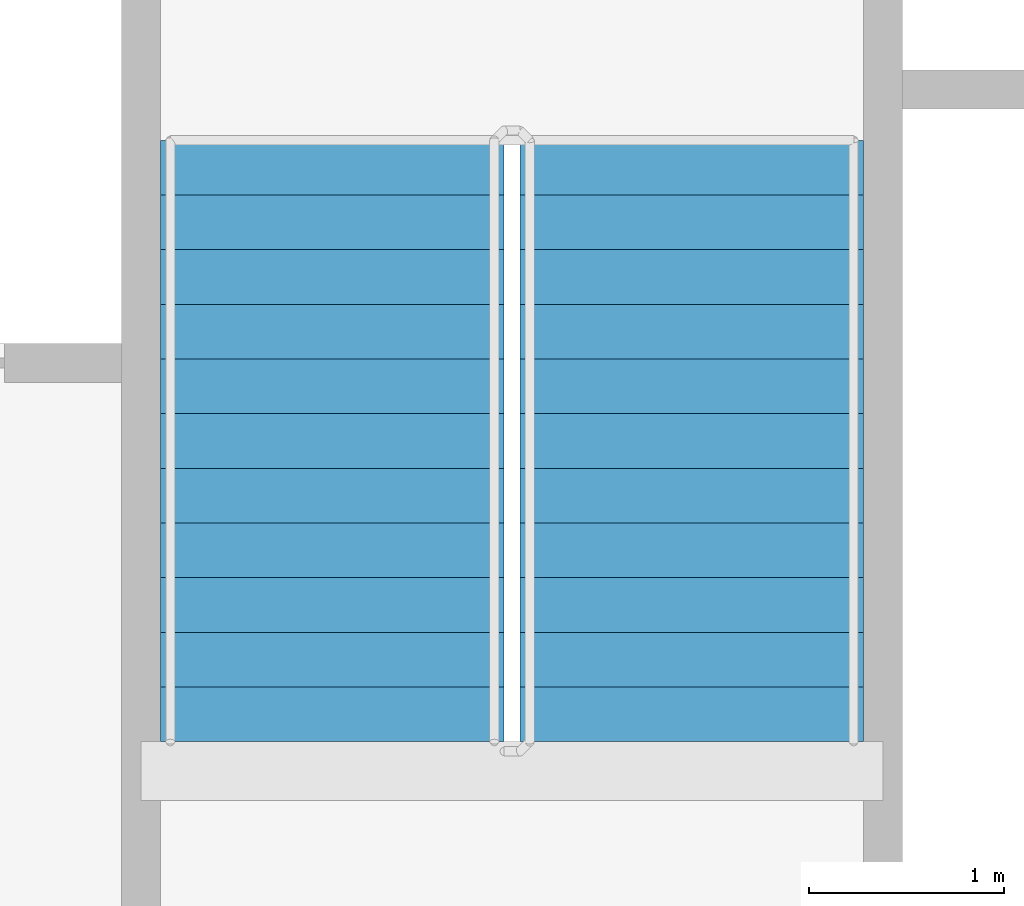
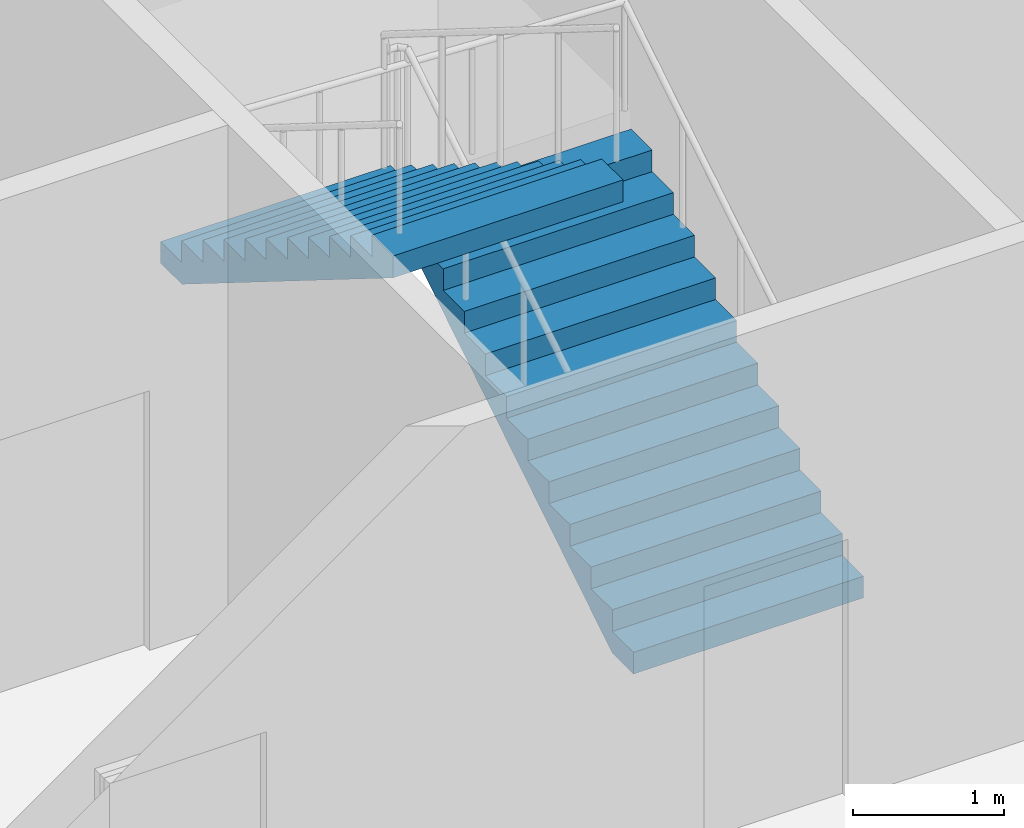
# One storey, part 26 of 31: 2 stair flights, 1 element without a shape of its own.
"""IFC4 building model written with IfcOpenShell, lengths in metres."""

from ifc_helpers import new_model, si_unit, direction, frame, origin, place, context, subcontext, project, spatial, faceted_brep, material, type_object, element, aggregate, save


model = new_model("IFC4")

# Units and contexts
model_context = context("Model", 3, precision=1e-05, world=origin(), true_north=direction((0.0, 1.0)))
body_context = subcontext(model_context, "Body", "Model", "MODEL_VIEW")
ifc_project = project(units=[si_unit("LENGTHUNIT", "METRE"), si_unit("AREAUNIT", "SQUARE_METRE"), si_unit("VOLUMEUNIT", "CUBIC_METRE"), si_unit("PLANEANGLEUNIT", "RADIAN"), si_unit("MASSUNIT", "GRAM", prefix="KILO")], contexts=[model_context])

# Site, building, storey
site_placement = place(None, origin())
site = spatial("IfcSite", under=ifc_project, at=site_placement, CompositionType="ELEMENT")
building_placement = place(site_placement, origin())
building = spatial("IfcBuilding", under=site, at=building_placement, Name="Tarsis Ring Headquarters", CompositionType="ELEMENT")
storey_placement = place(building_placement, frame((0.0, 0.0, 390.199951171875)))
storey = spatial("IfcBuildingStorey", under=building, at=storey_placement, Name="L92", CompositionType="ELEMENT", Elevation=390.199951171875)

# Stair, stair flights
ifc_material_1 = material(Name="Core stair 1760")
stair_type = type_object("IfcStairType", Name="Core stair 1760", PredefinedType="HALF_TURN_STAIR", material=ifc_material_1)
stair_placement = place(storey_placement, origin())
stair = element("IfcStair", 1, at=stair_placement, inside=storey, type_object=stair_type, Name="L92 Exit stair B", PredefinedType="HALF_TURN_STAIR")
ifc_material_2 = material(Name="Concrete C40/50", Category="concrete")
stair_flight_type = type_object("IfcStairFlightType", Name="Core stair flight 1760", PredefinedType="STRAIGHT", material=ifc_material_2)
stair_flight_1_placement = place(storey_placement, frame((5.419921875, 3.659912109375, 0.0), z_axis=(0.0, 0.0, 1.0), x_axis=(0.0, 1.0, 0.0)))
stair_flight_1 = element("IfcStairFlight", 2, at=stair_flight_1_placement, type_object=stair_flight_type, Name="Stair ST2 flight 1", NumberOfRisers=12, NumberOfTreads=11, PredefinedType="STRAIGHT", RiserHeight=0.175, TreadLength=0.28, context=body_context, shape_type="Brep", body=[
    faceted_brep([(0.0, 0.8798828125, 0.0), (0.0, 0.8798828125, 0.175048828125), (0.280029296875, 0.8798828125, 0.175048828125), (0.280029296875, 0.8798828125, 0.35009765625), (0.56005859375, 0.8798828125, 0.35009765625), (0.56005859375, 0.8798828125, 0.52490234375), (0.840087890625, 0.8798828125, 0.52490234375), (0.840087890625, 0.8798828125, 0.699951171875), (1.1201171875, 0.8798828125, 0.699951171875), (1.1201171875, 0.8798828125, 0.875), (1.39990234375, 0.8798828125, 0.875), (1.39990234375, 0.8798828125, 1.050048828125), (1.679931640625, 0.8798828125, 1.050048828125), (1.679931640625, 0.8798828125, 1.22509765625), (1.9599609375, 0.8798828125, 1.22509765625), (1.9599609375, 0.8798828125, 1.39990234375), (2.239990234375, 0.8798828125, 1.39990234375), (2.239990234375, 0.8798828125, 1.574951171875), (2.52001953125, 0.8798828125, 1.574951171875), (2.52001953125, 0.8798828125, 1.75), (2.800048828125, 0.8798828125, 1.75), (2.800048828125, 0.8798828125, 1.925048828125), (3.080078125, 0.8798828125, 1.925048828125), (3.080078125, 0.8798828125, 1.748291015625), (0.28271484375, 0.8798828125, 0.0), (0.28271484375, -0.8798828125, 0.0), (3.080078125, -0.8798828125, 1.748291015625), (3.080078125, -0.8798828125, 1.925048828125), (2.800048828125, -0.8798828125, 1.925048828125), (2.800048828125, -0.8798828125, 1.75), (2.52001953125, -0.8798828125, 1.75), (2.52001953125, -0.8798828125, 1.574951171875), (2.239990234375, -0.8798828125, 1.574951171875), (2.239990234375, -0.8798828125, 1.39990234375), (1.9599609375, -0.8798828125, 1.39990234375), (1.9599609375, -0.8798828125, 1.22509765625), (1.679931640625, -0.8798828125, 1.22509765625), (1.679931640625, -0.8798828125, 1.050048828125), (1.39990234375, -0.8798828125, 1.050048828125), (1.39990234375, -0.8798828125, 0.875), (1.1201171875, -0.8798828125, 0.875), (1.1201171875, -0.8798828125, 0.699951171875), (0.840087890625, -0.8798828125, 0.699951171875), (0.840087890625, -0.8798828125, 0.52490234375), (0.56005859375, -0.8798828125, 0.52490234375), (0.56005859375, -0.8798828125, 0.35009765625), (0.280029296875, -0.8798828125, 0.35009765625), (0.280029296875, -0.8798828125, 0.175048828125), (0.0, -0.8798828125, 0.175048828125), (0.0, -0.8798828125, 0.0), (0.0, -0.43994140625, 0.175048828125), (0.0, -0.43994140625, 0.0), (0.0, 0.0, 0.175048828125), (0.0, 0.0, 0.0), (0.0, 0.43994140625, 0.175048828125), (0.0, 0.43994140625, 0.0), (0.280029296875, -0.43994140625, 0.175048828125), (0.280029296875, 0.0, 0.175048828125), (0.280029296875, 0.43994140625, 0.175048828125), (0.280029296875, -0.43994140625, 0.35009765625), (0.280029296875, 0.0, 0.35009765625), (0.280029296875, 0.43994140625, 0.35009765625), (0.56005859375, -0.43994140625, 0.35009765625), (0.56005859375, 0.0, 0.35009765625), (0.56005859375, 0.43994140625, 0.35009765625), (0.56005859375, -0.43994140625, 0.52490234375), (0.56005859375, 0.0, 0.52490234375), (0.56005859375, 0.43994140625, 0.52490234375), (0.840087890625, -0.43994140625, 0.52490234375), (0.840087890625, 0.0, 0.52490234375), (0.840087890625, 0.43994140625, 0.52490234375), (0.840087890625, -0.43994140625, 0.699951171875), (0.840087890625, 0.0, 0.699951171875), (0.840087890625, 0.43994140625, 0.699951171875), (1.1201171875, -0.43994140625, 0.699951171875), (1.1201171875, 0.0, 0.699951171875), (1.1201171875, 0.43994140625, 0.699951171875), (1.1201171875, -0.43994140625, 0.875), (1.1201171875, 0.0, 0.875), (1.1201171875, 0.43994140625, 0.875), (1.39990234375, -0.43994140625, 0.875), (1.39990234375, 0.0, 0.875), (1.39990234375, 0.43994140625, 0.875), (1.39990234375, -0.43994140625, 1.050048828125), (1.39990234375, 0.0, 1.050048828125), (1.39990234375, 0.43994140625, 1.050048828125), (1.679931640625, -0.43994140625, 1.050048828125), (1.679931640625, 0.0, 1.050048828125), (1.679931640625, 0.43994140625, 1.050048828125), (1.679931640625, -0.43994140625, 1.22509765625), (1.679931640625, 0.0, 1.22509765625), (1.679931640625, 0.43994140625, 1.22509765625), (1.9599609375, -0.43994140625, 1.22509765625), (1.9599609375, 0.0, 1.22509765625), (1.9599609375, 0.43994140625, 1.22509765625), (1.9599609375, -0.43994140625, 1.39990234375), (1.9599609375, 0.0, 1.39990234375), (1.9599609375, 0.43994140625, 1.39990234375), (2.239990234375, -0.43994140625, 1.39990234375), (2.239990234375, 0.0, 1.39990234375), (2.239990234375, 0.43994140625, 1.39990234375), (2.239990234375, -0.43994140625, 1.574951171875), (2.239990234375, 0.0, 1.574951171875), (2.239990234375, 0.43994140625, 1.574951171875), (2.52001953125, -0.43994140625, 1.574951171875), (2.52001953125, 0.0, 1.574951171875), (2.52001953125, 0.43994140625, 1.574951171875), (2.52001953125, -0.43994140625, 1.75), (2.52001953125, 0.0, 1.75), (2.52001953125, 0.43994140625, 1.75), (2.800048828125, -0.43994140625, 1.75), (2.800048828125, 0.0, 1.75), (2.800048828125, 0.43994140625, 1.75), (2.800048828125, -0.43994140625, 1.925048828125), (2.800048828125, 0.0, 1.925048828125), (2.800048828125, 0.43994140625, 1.925048828125), (3.080078125, -0.43994140625, 1.925048828125), (3.080078125, 0.0, 1.925048828125), (3.080078125, 0.43994140625, 1.925048828125), (3.080078125, -0.43994140625, 1.748291015625), (3.080078125, 0.0, 1.748291015625), (3.080078125, 0.43994140625, 1.748291015625), (0.28271484375, -0.43994140625, 0.0), (0.28271484375, 0.0, 0.0), (0.28271484375, 0.43994140625, 0.0)], [[[0, 1, 2, 3, 4, 5, 6, 7, 8, 9, 10, 11, 12, 13, 14, 15, 16, 17, 18, 19, 20, 21, 22, 23, 24]], [[25, 26, 27, 28, 29, 30, 31, 32, 33, 34, 35, 36, 37, 38, 39, 40, 41, 42, 43, 44, 45, 46, 47, 48, 49]], [[49, 48, 50, 51]], [[51, 50, 52, 53]], [[53, 52, 54, 55]], [[55, 54, 1, 0]], [[48, 47, 56, 50]], [[50, 56, 57, 52]], [[52, 57, 58, 54]], [[54, 58, 2, 1]], [[47, 46, 59, 56]], [[56, 59, 60, 57]], [[57, 60, 61, 58]], [[58, 61, 3, 2]], [[46, 45, 62, 59]], [[59, 62, 63, 60]], [[60, 63, 64, 61]], [[61, 64, 4, 3]], [[45, 44, 65, 62]], [[62, 65, 66, 63]], [[63, 66, 67, 64]], [[64, 67, 5, 4]], [[44, 43, 68, 65]], [[65, 68, 69, 66]], [[66, 69, 70, 67]], [[67, 70, 6, 5]], [[43, 42, 71, 68]], [[68, 71, 72, 69]], [[69, 72, 73, 70]], [[70, 73, 7, 6]], [[42, 41, 74, 71]], [[71, 74, 75, 72]], [[72, 75, 76, 73]], [[73, 76, 8, 7]], [[41, 40, 77, 74]], [[74, 77, 78, 75]], [[75, 78, 79, 76]], [[76, 79, 9, 8]], [[40, 39, 80, 77]], [[77, 80, 81, 78]], [[78, 81, 82, 79]], [[79, 82, 10, 9]], [[39, 38, 83, 80]], [[80, 83, 84, 81]], [[81, 84, 85, 82]], [[82, 85, 11, 10]], [[38, 37, 86, 83]], [[83, 86, 87, 84]], [[84, 87, 88, 85]], [[85, 88, 12, 11]], [[37, 36, 89, 86]], [[86, 89, 90, 87]], [[87, 90, 91, 88]], [[88, 91, 13, 12]], [[36, 35, 92, 89]], [[89, 92, 93, 90]], [[90, 93, 94, 91]], [[91, 94, 14, 13]], [[35, 34, 95, 92]], [[92, 95, 96, 93]], [[93, 96, 97, 94]], [[94, 97, 15, 14]], [[34, 33, 98, 95]], [[95, 98, 99, 96]], [[96, 99, 100, 97]], [[97, 100, 16, 15]], [[33, 32, 101, 98]], [[98, 101, 102, 99]], [[99, 102, 103, 100]], [[100, 103, 17, 16]], [[32, 31, 104, 101]], [[101, 104, 105, 102]], [[102, 105, 106, 103]], [[103, 106, 18, 17]], [[31, 30, 107, 104]], [[104, 107, 108, 105]], [[105, 108, 109, 106]], [[106, 109, 19, 18]], [[30, 29, 110, 107]], [[107, 110, 111, 108]], [[108, 111, 112, 109]], [[109, 112, 20, 19]], [[29, 28, 113, 110]], [[110, 113, 114, 111]], [[111, 114, 115, 112]], [[112, 115, 21, 20]], [[28, 27, 116, 113]], [[113, 116, 117, 114]], [[114, 117, 118, 115]], [[115, 118, 22, 21]], [[27, 26, 119, 116]], [[116, 119, 120, 117]], [[117, 120, 121, 118]], [[118, 121, 23, 22]], [[26, 25, 122, 119]], [[119, 122, 123, 120]], [[120, 123, 124, 121]], [[121, 124, 24, 23]], [[25, 49, 51, 122]], [[122, 51, 53, 123]], [[123, 53, 55, 124]], [[124, 55, 0, 24]]]),
])
stair_flight_2_placement = place(storey_placement, frame((3.580078125, 6.739990234375, 2.10009765625), z_axis=(0.0, 0.0, 1.0), x_axis=(0.0, -1.0, 0.0)))
stair_flight_2 = element("IfcStairFlight", 3, at=stair_flight_2_placement, type_object=stair_flight_type, Name="Stair ST2 flight 2", NumberOfRisers=12, NumberOfTreads=11, PredefinedType="STRAIGHT", RiserHeight=0.175, TreadLength=0.28, context=body_context, shape_type="Brep", body=[
    faceted_brep([(0.0, 0.8798828125, 0.0), (0.0, 0.8798828125, 0.175048828125), (0.280029296875, 0.8798828125, 0.175048828125), (0.280029296875, 0.8798828125, 0.35009765625), (0.56005859375, 0.8798828125, 0.35009765625), (0.56005859375, 0.8798828125, 0.52490234375), (0.840087890625, 0.8798828125, 0.52490234375), (0.840087890625, 0.8798828125, 0.699951171875), (1.1201171875, 0.8798828125, 0.699951171875), (1.1201171875, 0.8798828125, 0.875), (1.39990234375, 0.8798828125, 0.875), (1.39990234375, 0.8798828125, 1.050048828125), (1.679931640625, 0.8798828125, 1.050048828125), (1.679931640625, 0.8798828125, 1.22509765625), (1.9599609375, 0.8798828125, 1.22509765625), (1.9599609375, 0.8798828125, 1.39990234375), (2.239990234375, 0.8798828125, 1.39990234375), (2.239990234375, 0.8798828125, 1.574951171875), (2.52001953125, 0.8798828125, 1.574951171875), (2.52001953125, 0.8798828125, 1.75), (2.800048828125, 0.8798828125, 1.75), (2.800048828125, 0.8798828125, 1.925048828125), (3.080078125, 0.8798828125, 1.925048828125), (3.080078125, 0.8798828125, 1.748291015625), (0.28271484375, 0.8798828125, 0.0), (0.28271484375, -0.8798828125, 0.0), (3.080078125, -0.8798828125, 1.748291015625), (3.080078125, -0.8798828125, 1.925048828125), (2.800048828125, -0.8798828125, 1.925048828125), (2.800048828125, -0.8798828125, 1.75), (2.52001953125, -0.8798828125, 1.75), (2.52001953125, -0.8798828125, 1.574951171875), (2.239990234375, -0.8798828125, 1.574951171875), (2.239990234375, -0.8798828125, 1.39990234375), (1.9599609375, -0.8798828125, 1.39990234375), (1.9599609375, -0.8798828125, 1.22509765625), (1.679931640625, -0.8798828125, 1.22509765625), (1.679931640625, -0.8798828125, 1.050048828125), (1.39990234375, -0.8798828125, 1.050048828125), (1.39990234375, -0.8798828125, 0.875), (1.1201171875, -0.8798828125, 0.875), (1.1201171875, -0.8798828125, 0.699951171875), (0.840087890625, -0.8798828125, 0.699951171875), (0.840087890625, -0.8798828125, 0.52490234375), (0.56005859375, -0.8798828125, 0.52490234375), (0.56005859375, -0.8798828125, 0.35009765625), (0.280029296875, -0.8798828125, 0.35009765625), (0.280029296875, -0.8798828125, 0.175048828125), (0.0, -0.8798828125, 0.175048828125), (0.0, -0.8798828125, 0.0), (0.0, -0.43994140625, 0.175048828125), (0.0, -0.43994140625, 0.0), (0.0, 0.0, 0.175048828125), (0.0, 0.0, 0.0), (0.0, 0.43994140625, 0.175048828125), (0.0, 0.43994140625, 0.0), (0.280029296875, -0.43994140625, 0.175048828125), (0.280029296875, 0.0, 0.175048828125), (0.280029296875, 0.43994140625, 0.175048828125), (0.280029296875, -0.43994140625, 0.35009765625), (0.280029296875, 0.0, 0.35009765625), (0.280029296875, 0.43994140625, 0.35009765625), (0.56005859375, -0.43994140625, 0.35009765625), (0.56005859375, 0.0, 0.35009765625), (0.56005859375, 0.43994140625, 0.35009765625), (0.56005859375, -0.43994140625, 0.52490234375), (0.56005859375, 0.0, 0.52490234375), (0.56005859375, 0.43994140625, 0.52490234375), (0.840087890625, -0.43994140625, 0.52490234375), (0.840087890625, 0.0, 0.52490234375), (0.840087890625, 0.43994140625, 0.52490234375), (0.840087890625, -0.43994140625, 0.699951171875), (0.840087890625, 0.0, 0.699951171875), (0.840087890625, 0.43994140625, 0.699951171875), (1.1201171875, -0.43994140625, 0.699951171875), (1.1201171875, 0.0, 0.699951171875), (1.1201171875, 0.43994140625, 0.699951171875), (1.1201171875, -0.43994140625, 0.875), (1.1201171875, 0.0, 0.875), (1.1201171875, 0.43994140625, 0.875), (1.39990234375, -0.43994140625, 0.875), (1.39990234375, 0.0, 0.875), (1.39990234375, 0.43994140625, 0.875), (1.39990234375, -0.43994140625, 1.050048828125), (1.39990234375, 0.0, 1.050048828125), (1.39990234375, 0.43994140625, 1.050048828125), (1.679931640625, -0.43994140625, 1.050048828125), (1.679931640625, 0.0, 1.050048828125), (1.679931640625, 0.43994140625, 1.050048828125), (1.679931640625, -0.43994140625, 1.22509765625), (1.679931640625, 0.0, 1.22509765625), (1.679931640625, 0.43994140625, 1.22509765625), (1.9599609375, -0.43994140625, 1.22509765625), (1.9599609375, 0.0, 1.22509765625), (1.9599609375, 0.43994140625, 1.22509765625), (1.9599609375, -0.43994140625, 1.39990234375), (1.9599609375, 0.0, 1.39990234375), (1.9599609375, 0.43994140625, 1.39990234375), (2.239990234375, -0.43994140625, 1.39990234375), (2.239990234375, 0.0, 1.39990234375), (2.239990234375, 0.43994140625, 1.39990234375), (2.239990234375, -0.43994140625, 1.574951171875), (2.239990234375, 0.0, 1.574951171875), (2.239990234375, 0.43994140625, 1.574951171875), (2.52001953125, -0.43994140625, 1.574951171875), (2.52001953125, 0.0, 1.574951171875), (2.52001953125, 0.43994140625, 1.574951171875), (2.52001953125, -0.43994140625, 1.75), (2.52001953125, 0.0, 1.75), (2.52001953125, 0.43994140625, 1.75), (2.800048828125, -0.43994140625, 1.75), (2.800048828125, 0.0, 1.75), (2.800048828125, 0.43994140625, 1.75), (2.800048828125, -0.43994140625, 1.925048828125), (2.800048828125, 0.0, 1.925048828125), (2.800048828125, 0.43994140625, 1.925048828125), (3.080078125, -0.43994140625, 1.925048828125), (3.080078125, 0.0, 1.925048828125), (3.080078125, 0.43994140625, 1.925048828125), (3.080078125, -0.43994140625, 1.748291015625), (3.080078125, 0.0, 1.748291015625), (3.080078125, 0.43994140625, 1.748291015625), (0.28271484375, -0.43994140625, 0.0), (0.28271484375, 0.0, 0.0), (0.28271484375, 0.43994140625, 0.0)], [[[0, 1, 2, 3, 4, 5, 6, 7, 8, 9, 10, 11, 12, 13, 14, 15, 16, 17, 18, 19, 20, 21, 22, 23, 24]], [[25, 26, 27, 28, 29, 30, 31, 32, 33, 34, 35, 36, 37, 38, 39, 40, 41, 42, 43, 44, 45, 46, 47, 48, 49]], [[49, 48, 50, 51]], [[51, 50, 52, 53]], [[53, 52, 54, 55]], [[55, 54, 1, 0]], [[48, 47, 56, 50]], [[50, 56, 57, 52]], [[52, 57, 58, 54]], [[54, 58, 2, 1]], [[47, 46, 59, 56]], [[56, 59, 60, 57]], [[57, 60, 61, 58]], [[58, 61, 3, 2]], [[46, 45, 62, 59]], [[59, 62, 63, 60]], [[60, 63, 64, 61]], [[61, 64, 4, 3]], [[45, 44, 65, 62]], [[62, 65, 66, 63]], [[63, 66, 67, 64]], [[64, 67, 5, 4]], [[44, 43, 68, 65]], [[65, 68, 69, 66]], [[66, 69, 70, 67]], [[67, 70, 6, 5]], [[43, 42, 71, 68]], [[68, 71, 72, 69]], [[69, 72, 73, 70]], [[70, 73, 7, 6]], [[42, 41, 74, 71]], [[71, 74, 75, 72]], [[72, 75, 76, 73]], [[73, 76, 8, 7]], [[41, 40, 77, 74]], [[74, 77, 78, 75]], [[75, 78, 79, 76]], [[76, 79, 9, 8]], [[40, 39, 80, 77]], [[77, 80, 81, 78]], [[78, 81, 82, 79]], [[79, 82, 10, 9]], [[39, 38, 83, 80]], [[80, 83, 84, 81]], [[81, 84, 85, 82]], [[82, 85, 11, 10]], [[38, 37, 86, 83]], [[83, 86, 87, 84]], [[84, 87, 88, 85]], [[85, 88, 12, 11]], [[37, 36, 89, 86]], [[86, 89, 90, 87]], [[87, 90, 91, 88]], [[88, 91, 13, 12]], [[36, 35, 92, 89]], [[89, 92, 93, 90]], [[90, 93, 94, 91]], [[91, 94, 14, 13]], [[35, 34, 95, 92]], [[92, 95, 96, 93]], [[93, 96, 97, 94]], [[94, 97, 15, 14]], [[34, 33, 98, 95]], [[95, 98, 99, 96]], [[96, 99, 100, 97]], [[97, 100, 16, 15]], [[33, 32, 101, 98]], [[98, 101, 102, 99]], [[99, 102, 103, 100]], [[100, 103, 17, 16]], [[32, 31, 104, 101]], [[101, 104, 105, 102]], [[102, 105, 106, 103]], [[103, 106, 18, 17]], [[31, 30, 107, 104]], [[104, 107, 108, 105]], [[105, 108, 109, 106]], [[106, 109, 19, 18]], [[30, 29, 110, 107]], [[107, 110, 111, 108]], [[108, 111, 112, 109]], [[109, 112, 20, 19]], [[29, 28, 113, 110]], [[110, 113, 114, 111]], [[111, 114, 115, 112]], [[112, 115, 21, 20]], [[28, 27, 116, 113]], [[113, 116, 117, 114]], [[114, 117, 118, 115]], [[115, 118, 22, 21]], [[27, 26, 119, 116]], [[116, 119, 120, 117]], [[117, 120, 121, 118]], [[118, 121, 23, 22]], [[26, 25, 122, 119]], [[119, 122, 123, 120]], [[120, 123, 124, 121]], [[121, 124, 24, 23]], [[25, 49, 51, 122]], [[122, 51, 53, 123]], [[123, 53, 55, 124]], [[124, 55, 0, 24]]]),
])
aggregate(stair, [stair_flight_1, stair_flight_2])

save(model, "model.ifc")
